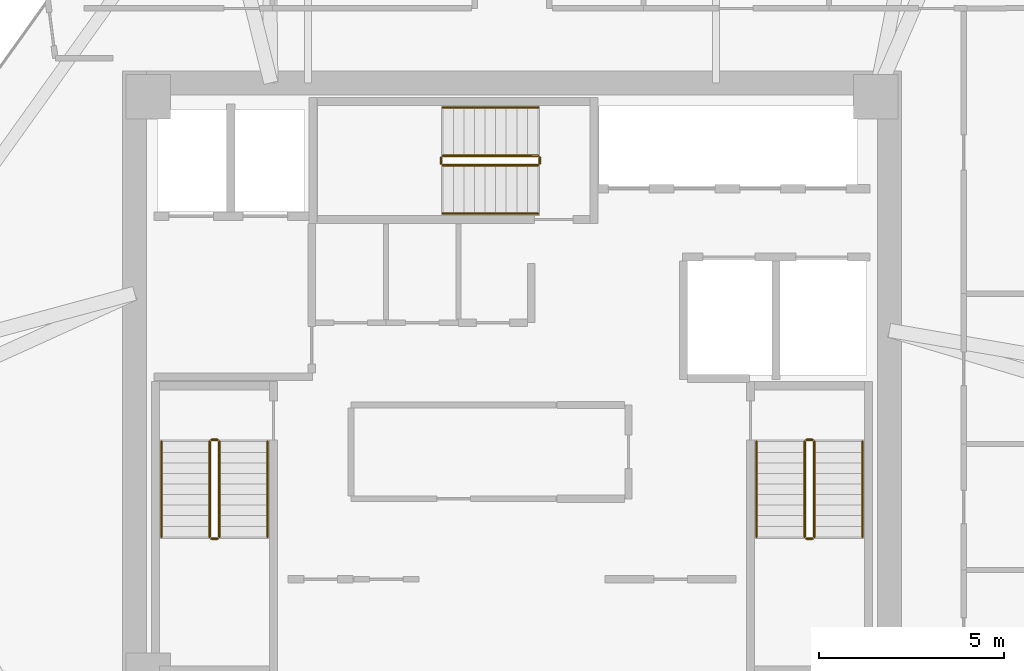
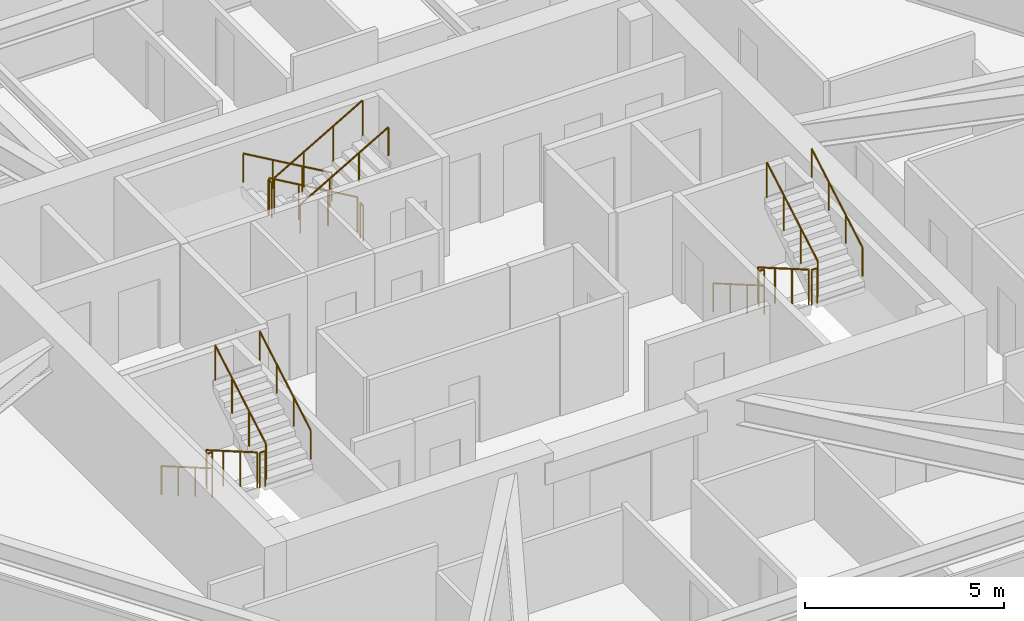
# One storey, part 11 of 11: 18 railings.
"""IFC4 building model written with IfcOpenShell, lengths in metres."""

import ifcopenshell
import ifcopenshell.guid

model = None  # the IFC model being written
_history = None  # IfcOwnerHistory: only IFC2X3 demands one
_inside = {}  # id of a spatial element -> (the spatial element, [elements in it])
_under = {}  # id of a project, library or spatial element -> (it, [spatial elements below it])
_declared = {}  # id of a project -> (the project, [libraries it declares])
_typed = {}  # id of a type object -> (the type object, [elements of that type])
_made_of = {}  # id of a material, layer set ... -> (it, [elements and type objects made of it])


def new_model(schema):
    """Start an empty IFC model of exactly this schema.

    Asked for "IFC4X3", IfcOpenShell would pick the latest addendum, in which some entities
    have other attributes; the version numbers below select the first issue.
    IFC2X3 requires an IfcOwnerHistory on every rooted entity: one is made here for all.
    """
    global model, _history
    if schema == "IFC4X3":
        model = ifcopenshell.file(schema_version=(4, 3, 0, 0))
    else:
        model = ifcopenshell.file(schema=schema)
    _inside.clear()
    _under.clear()
    _declared.clear()
    _typed.clear()
    _made_of.clear()
    _history = None
    if model.schema == "IFC2X3":
        org = make("IfcOrganization", Name="unknown")
        user = make(
            "IfcPersonAndOrganization",
            ThePerson=make("IfcPerson", FamilyName="unknown"),
            TheOrganization=org,
        )
        app = make(
            "IfcApplication",
            ApplicationDeveloper=org,
            Version="unknown",
            ApplicationFullName="unknown",
            ApplicationIdentifier="unknown",
        )
        _history = make(
            "IfcOwnerHistory",
            OwningUser=user,
            OwningApplication=app,
            ChangeAction="ADDED",
            CreationDate=0,
        )
    return model


def make(cls, **values):
    """One entity of the class cls with the attributes given. An attribute that is None is left unset."""
    return model.create_entity(
        cls, **{name: value for name, value in values.items() if value is not None}
    )


def rooted(cls, **values):
    """An entity with a GlobalId (a new one), such as an element, a storey or a relation."""
    return make(cls, GlobalId=ifcopenshell.guid.new(), OwnerHistory=_history, **values)


def si_unit(unit_type, name, prefix=None):
    """IfcSIUnit, for example si_unit("LENGTHUNIT", "METRE", prefix="MILLI")."""
    return make("IfcSIUnit", UnitType=unit_type, Prefix=prefix, Name=name)


def assignment(units):
    """IfcUnitAssignment: the units of a project."""
    return None if units is None else make("IfcUnitAssignment", Units=units)


def point(xyz):
    """IfcCartesianPoint."""
    return None if xyz is None else make("IfcCartesianPoint", Coordinates=xyz)


def direction(xyz):
    """IfcDirection."""
    return None if xyz is None else make("IfcDirection", DirectionRatios=xyz)


def frame(location, z_axis=None, x_axis=None):
    """IfcAxis2Placement3D, a coordinate frame: its origin and axes. An axis left out is left unset."""
    return make(
        "IfcAxis2Placement3D",
        Location=point(location),
        Axis=direction(z_axis),
        RefDirection=direction(x_axis),
    )


def frame_2d(location, x_axis=None):
    """IfcAxis2Placement2D, a coordinate frame in the plane: its origin and x axis."""
    return make(
        "IfcAxis2Placement2D", Location=point(location), RefDirection=direction(x_axis)
    )


def origin():
    """The frame at (0, 0, 0) with its axes left unset."""
    return frame((0.0, 0.0, 0.0))


def origin_2d():
    """The frame at (0, 0) in the plane with its x axis left unset."""
    return frame_2d((0.0, 0.0))


def place(relative_to, where):
    """IfcLocalPlacement: puts the frame where relative to a parent placement (None: the world)."""
    return make(
        "IfcLocalPlacement", PlacementRelTo=relative_to, RelativePlacement=where
    )


def context(
    kind, dimensions, precision=None, world=None, true_north=None, identifier=None
):
    """IfcGeometricRepresentationContext, for example the 3D "Model" context."""
    return make(
        "IfcGeometricRepresentationContext",
        ContextIdentifier=identifier,
        ContextType=kind,
        CoordinateSpaceDimension=dimensions,
        Precision=precision,
        WorldCoordinateSystem=world,
        TrueNorth=true_north,
    )


def subcontext(parent, identifier, kind, view, scale=None):
    """IfcGeometricRepresentationSubContext, for example "Body" below "Model"."""
    return make(
        "IfcGeometricRepresentationSubContext",
        ContextIdentifier=identifier,
        ContextType=kind,
        ParentContext=parent,
        TargetScale=scale,
        TargetView=view,
    )


def project(units=None, contexts=None):
    """IfcProject with its units and contexts."""
    return rooted(
        "IfcProject",
        Name="project",
        RepresentationContexts=contexts,
        UnitsInContext=assignment(units),
    )


def spatial(cls, under=None, at=None, **own):
    """A site, building, storey or space (cls), placed at a placement, below another one or the project."""
    s = rooted(cls, ObjectPlacement=at, **own)
    if under is not None:
        _under.setdefault(under.id(), (under, []))[1].append(s)
    return s


def profile(cls, at=None, kind="AREA", **sizes):
    """A parametric profile (cls). Its sizes go by their IFC names, for example OverallWidth=200.0."""
    return make(cls, ProfileType=kind, Position=at, **sizes)


def circle(**sizes):
    """IfcCircleProfileDef."""
    return profile("IfcCircleProfileDef", **sizes)


def extrude(swept, where, along, depth):
    """IfcExtrudedAreaSolid: the profile swept, set in the frame where, extruded along a direction by depth."""
    return make(
        "IfcExtrudedAreaSolid",
        SweptArea=swept,
        Position=where,
        ExtrudedDirection=direction(along),
        Depth=depth,
    )


def shape(context_of_items, identifier, shape_type, items):
    """IfcShapeRepresentation: the items that make up one representation, for example the "Body"."""
    return make(
        "IfcShapeRepresentation",
        ContextOfItems=context_of_items,
        RepresentationIdentifier=identifier,
        RepresentationType=shape_type,
        Items=items,
    )


def material(Name=None, Category=None):
    """IfcMaterial."""
    return make("IfcMaterial", Name=Name, Category=Category)


def made_of(thing, what):
    """Note that an element or type object is made of a material, layer set ...; save() writes the relation."""
    if what is not None:
        _made_of.setdefault(what.id(), (what, []))[1].append(thing)
    return thing


def type_object(cls, material=None, **own):
    """A type object (cls), such as IfcWallType, which elements share."""
    return made_of(rooted(cls, **own), material)


def element(
    cls,
    number,
    at=None,
    inside=None,
    cuts=None,
    type_object=None,
    material=None,
    context=None,
    identifier="Body",
    shape_type=None,
    held_by="IfcProductDefinitionShape",
    body=None,
    shapes=None,
    **own,
):
    """One element of the class cls, such as IfcWall. Its Tag is "e" and its number.

    at: its placement. inside: the storey or other place that contains it. cuts: it is an
    opening in that element (IfcRelVoidsElement). A single representation is given by context,
    identifier, shape_type and body (its items); several are given by shapes. held_by: the class
    of the entity that holds the representations. save() writes the other relations.
    """
    e = rooted(cls, Tag="e%d" % number, ObjectPlacement=at, **own)
    if body is not None:
        shapes = [shape(context, identifier, shape_type, body)]
    if shapes is not None:
        e.Representation = make(held_by, Representations=shapes)
    if inside is not None:
        _inside.setdefault(inside.id(), (inside, []))[1].append(e)
    if cuts is not None:
        rooted(
            "IfcRelVoidsElement", RelatingBuildingElement=cuts, RelatedOpeningElement=e
        )
    if type_object is not None:
        _typed.setdefault(type_object.id(), (type_object, []))[1].append(e)
    return made_of(e, material)


def aggregate(whole, parts):
    """IfcRelAggregates: a whole, such as a stair, and the parts it consists of."""
    return rooted("IfcRelAggregates", RelatingObject=whole, RelatedObjects=parts)


def save(model, path):
    """Write the relations noted so far, then the file.

    IfcRelAggregates (storeys below a building ...), IfcRelContainedInSpatialStructure (elements
    in a storey), IfcRelDefinesByType, IfcRelAssociatesMaterial and IfcRelDeclares: one each for
    every whole, place, type object, material and project.
    """
    for whole, parts in _under.values():
        aggregate(whole, parts)
    for where, things in _inside.values():
        rooted(
            "IfcRelContainedInSpatialStructure",
            RelatedElements=things,
            RelatingStructure=where,
        )
    for kind, things in _typed.values():
        rooted("IfcRelDefinesByType", RelatedObjects=things, RelatingType=kind)
    for what, things in _made_of.values():
        rooted("IfcRelAssociatesMaterial", RelatedObjects=things, RelatingMaterial=what)
    for by, libraries in _declared.values():
        rooted("IfcRelDeclares", RelatingContext=by, RelatedDefinitions=libraries)
    model.write(path)


model = new_model("IFC4")

# Units and contexts
model_context = context("Model", 3, precision=1e-05, world=origin(), true_north=direction((0.0, 1.0)))
body_context = subcontext(model_context, "Body", "Model", "MODEL_VIEW")
ifc_project = project(units=[si_unit("LENGTHUNIT", "METRE"), si_unit("AREAUNIT", "SQUARE_METRE"), si_unit("VOLUMEUNIT", "CUBIC_METRE"), si_unit("PLANEANGLEUNIT", "RADIAN"), si_unit("MASSUNIT", "GRAM", prefix="KILO")], contexts=[model_context])

# Site, building, storey
site_placement = place(None, origin())
site = spatial("IfcSite", under=ifc_project, at=site_placement, CompositionType="ELEMENT")
building_placement = place(site_placement, origin())
building = spatial("IfcBuilding", under=site, at=building_placement, Name="Durnholm Broadcast Tower", CompositionType="ELEMENT")
storey_placement = place(building_placement, frame((0.0, 0.0, 177.10009765625)))
storey = spatial("IfcBuildingStorey", under=building, at=storey_placement, Name="L48", CompositionType="ELEMENT", Elevation=177.10009765625)

# Railings
ifc_material_1 = material(Name="Painted Tubular Steel Stair Guardrail", Category="steel")
railing_type_1 = type_object("IfcRailingType", Name="RAIL-ST-GRD", PredefinedType="GUARDRAIL", material=ifc_material_1)
railing_1_placement = place(storey_placement, frame((-8.14990234375, -1.5, 0.164794921875)))
element("IfcRailing", 1, at=railing_1_placement, inside=storey, type_object=railing_type_1, Name="L48 ST-1 stair guard 1", PredefinedType="GUARDRAIL", context=body_context, shape_type="SweptSolid", body=[
    extrude(circle(Radius=0.02392578125, at=origin_2d()), frame((0.0, 0.0, 1.076171875), z_axis=(0.0, -0.865405606168, 0.501071987656), x_axis=(1.0, 0.0, 0.0)), (0.0, 0.0, 1.0), 2.9638671875),
    extrude(circle(Radius=0.02099609375, at=origin_2d()), origin(), (0.0, 0.0, 1.0), 1.052001953125),
    extrude(circle(Radius=0.02099609375, at=origin_2d()), frame((0.0, -0.85498046875, 0.4951171875)), (0.0, 0.0, 1.0), 1.052001953125),
    extrude(circle(Radius=0.02099609375, at=origin_2d()), frame((0.0, -1.7099609375, 0.989990234375)), (0.0, 0.0, 1.0), 1.052001953125),
    extrude(circle(Radius=0.02099609375, at=origin_2d()), frame((0.0, -2.56494140625, 1.485107421875)), (0.0, 0.0, 1.0), 1.052001953125),
])
railing_2_placement = place(storey_placement, frame((-8.10009765625, -4.114990234375, 1.64990234375)))
element("IfcRailing", 2, at=railing_2_placement, inside=storey, type_object=railing_type_1, Name="L48 ST-1 stair guard 2", PredefinedType="GUARDRAIL", context=body_context, shape_type="SweptSolid", body=[
    extrude(circle(Radius=0.02392578125, at=origin_2d()), frame((0.0, 0.0, 1.076171875), z_axis=(1.0, 0.0, 0.0), x_axis=(0.0, 1.0, 0.0)), (0.0, 0.0, 1.0), 0.16015625),
    extrude(circle(Radius=0.02099609375, at=origin_2d()), origin(), (0.0, 0.0, 1.0), 1.052001953125),
    extrude(circle(Radius=0.02099609375, at=origin_2d()), frame((0.16015625, 0.0, 0.0)), (0.0, 0.0, 1.0), 1.052001953125),
])
railing_3_placement = place(storey_placement, frame((-7.889892578125, -4.06494140625, 1.81494140625)))
element("IfcRailing", 3, at=railing_3_placement, inside=storey, type_object=railing_type_1, Name="L48 ST-1 stair guard 3", PredefinedType="GUARDRAIL", context=body_context, shape_type="SweptSolid", body=[
    extrude(circle(Radius=0.02392578125, at=origin_2d()), frame((0.0, 0.0, 1.076171875), z_axis=(0.0, 0.865441324677, 0.50101029285), x_axis=(-1.0, 0.0, 0.0)), (0.0, 0.0, 1.0), 2.963623046875),
    extrude(circle(Radius=0.02099609375, at=origin_2d()), origin(), (0.0, 0.0, 1.0), 1.052001953125),
    extrude(circle(Radius=0.02099609375, at=origin_2d()), frame((0.0, 0.85498046875, 0.494873046875)), (0.0, 0.0, 1.0), 1.052001953125),
    extrude(circle(Radius=0.02099609375, at=origin_2d()), frame((0.0, 1.7099609375, 0.989990234375)), (0.0, 0.0, 1.0), 1.052001953125),
    extrude(circle(Radius=0.02099609375, at=origin_2d()), frame((0.0, 2.56494140625, 1.48486328125)), (0.0, 0.0, 1.0), 1.052001953125),
])
railing_4_placement = place(storey_placement, frame((-8.10009765625, -1.449951171875, 0.0)))
element("IfcRailing", 4, at=railing_4_placement, inside=storey, type_object=railing_type_1, Name="L48 ST-1 stair guard 4", PredefinedType="GUARDRAIL", context=body_context, shape_type="SweptSolid", body=[
    extrude(circle(Radius=0.02392578125, at=origin_2d()), frame((0.0, 0.0, 1.076171875), z_axis=(1.0, 0.0, 0.0), x_axis=(0.0, 1.0, 0.0)), (0.0, 0.0, 1.0), 0.16015625),
    extrude(circle(Radius=0.02099609375, at=origin_2d()), origin(), (0.0, 0.0, 1.0), 1.052001953125),
    extrude(circle(Radius=0.02099609375, at=origin_2d()), frame((0.16015625, 0.0, 0.0)), (0.0, 0.0, 1.0), 1.052001953125),
])
railing_5_placement = place(storey_placement, frame((7.889892578125, -1.5, 0.164794921875)))
element("IfcRailing", 5, at=railing_5_placement, inside=storey, type_object=railing_type_1, Name="L48 ST-2 stair guard 1", PredefinedType="GUARDRAIL", context=body_context, shape_type="SweptSolid", body=[
    extrude(circle(Radius=0.02392578125, at=origin_2d()), frame((0.0, 0.0, 1.076171875), z_axis=(0.0, -0.865405606168, 0.501071987656), x_axis=(1.0, 0.0, 0.0)), (0.0, 0.0, 1.0), 2.9638671875),
    extrude(circle(Radius=0.02099609375, at=origin_2d()), origin(), (0.0, 0.0, 1.0), 1.052001953125),
    extrude(circle(Radius=0.02099609375, at=origin_2d()), frame((0.0, -0.85498046875, 0.4951171875)), (0.0, 0.0, 1.0), 1.052001953125),
    extrude(circle(Radius=0.02099609375, at=origin_2d()), frame((0.0, -1.7099609375, 0.989990234375)), (0.0, 0.0, 1.0), 1.052001953125),
    extrude(circle(Radius=0.02099609375, at=origin_2d()), frame((0.0, -2.56494140625, 1.485107421875)), (0.0, 0.0, 1.0), 1.052001953125),
])
railing_6_placement = place(storey_placement, frame((7.93994140625, -4.114990234375, 1.64990234375)))
element("IfcRailing", 6, at=railing_6_placement, inside=storey, type_object=railing_type_1, Name="L48 ST-2 stair guard 2", PredefinedType="GUARDRAIL", context=body_context, shape_type="SweptSolid", body=[
    extrude(circle(Radius=0.02392578125, at=origin_2d()), frame((0.0, 0.0, 1.076171875), z_axis=(1.0, 0.0, 0.0), x_axis=(0.0, 1.0, 0.0)), (0.0, 0.0, 1.0), 0.16015625),
    extrude(circle(Radius=0.02099609375, at=origin_2d()), origin(), (0.0, 0.0, 1.0), 1.052001953125),
    extrude(circle(Radius=0.02099609375, at=origin_2d()), frame((0.16015625, 0.0, 0.0)), (0.0, 0.0, 1.0), 1.052001953125),
])
railing_7_placement = place(storey_placement, frame((8.14990234375, -4.06494140625, 1.81494140625)))
element("IfcRailing", 7, at=railing_7_placement, inside=storey, type_object=railing_type_1, Name="L48 ST-2 stair guard 3", PredefinedType="GUARDRAIL", context=body_context, shape_type="SweptSolid", body=[
    extrude(circle(Radius=0.02392578125, at=origin_2d()), frame((0.0, 0.0, 1.076171875), z_axis=(0.0, 0.865441324677, 0.50101029285), x_axis=(-1.0, 0.0, 0.0)), (0.0, 0.0, 1.0), 2.963623046875),
    extrude(circle(Radius=0.02099609375, at=origin_2d()), origin(), (0.0, 0.0, 1.0), 1.052001953125),
    extrude(circle(Radius=0.02099609375, at=origin_2d()), frame((0.0, 0.85498046875, 0.494873046875)), (0.0, 0.0, 1.0), 1.052001953125),
    extrude(circle(Radius=0.02099609375, at=origin_2d()), frame((0.0, 1.7099609375, 0.989990234375)), (0.0, 0.0, 1.0), 1.052001953125),
    extrude(circle(Radius=0.02099609375, at=origin_2d()), frame((0.0, 2.56494140625, 1.48486328125)), (0.0, 0.0, 1.0), 1.052001953125),
])
railing_8_placement = place(storey_placement, frame((7.93994140625, -1.449951171875, 0.0)))
element("IfcRailing", 8, at=railing_8_placement, inside=storey, type_object=railing_type_1, Name="L48 ST-2 stair guard 4", PredefinedType="GUARDRAIL", context=body_context, shape_type="SweptSolid", body=[
    extrude(circle(Radius=0.02392578125, at=origin_2d()), frame((0.0, 0.0, 1.076171875), z_axis=(1.0, 0.0, 0.0), x_axis=(0.0, 1.0, 0.0)), (0.0, 0.0, 1.0), 0.16015625),
    extrude(circle(Radius=0.02099609375, at=origin_2d()), origin(), (0.0, 0.0, 1.0), 1.052001953125),
    extrude(circle(Radius=0.02099609375, at=origin_2d()), frame((0.16015625, 0.0, 0.0)), (0.0, 0.0, 1.0), 1.052001953125),
])
railing_9_placement = place(storey_placement, frame((0.699951171875, 6.2099609375, 0.164794921875)))
element("IfcRailing", 9, at=railing_9_placement, inside=storey, type_object=railing_type_1, Name="L48 ST-3 stair guard 1", PredefinedType="GUARDRAIL", context=body_context, shape_type="SweptSolid", body=[
    extrude(circle(Radius=0.02392578125, at=origin_2d()), frame((0.0, 0.0, 1.076171875), z_axis=(-0.865405606168, 0.0, 0.501071987656), x_axis=(0.0, -1.0, 0.0)), (0.0, 0.0, 1.0), 2.9638671875),
    extrude(circle(Radius=0.02099609375, at=origin_2d()), origin(), (0.0, 0.0, 1.0), 1.052001953125),
    extrude(circle(Radius=0.02099609375, at=origin_2d()), frame((-0.85498046875, 0.0, 0.4951171875)), (0.0, 0.0, 1.0), 1.052001953125),
    extrude(circle(Radius=0.02099609375, at=origin_2d()), frame((-1.7099609375, 0.0, 0.989990234375)), (0.0, 0.0, 1.0), 1.052001953125),
    extrude(circle(Radius=0.02099609375, at=origin_2d()), frame((-2.56494140625, 0.0, 1.485107421875)), (0.0, 0.0, 1.0), 1.052001953125),
])
railing_10_placement = place(storey_placement, frame((-1.9150390625, 6.159912109375, 1.64990234375)))
element("IfcRailing", 10, at=railing_10_placement, inside=storey, type_object=railing_type_1, Name="L48 ST-3 stair guard 2", PredefinedType="GUARDRAIL", context=body_context, shape_type="SweptSolid", body=[
    extrude(circle(Radius=0.02392578125, at=origin_2d()), frame((0.0, 0.0, 1.076171875), z_axis=(0.0, -1.0, 0.0), x_axis=(1.0, 0.0, 0.0)), (0.0, 0.0, 1.0), 0.159912109375),
    extrude(circle(Radius=0.02099609375, at=origin_2d()), origin(), (0.0, 0.0, 1.0), 1.052001953125),
    extrude(circle(Radius=0.02099609375, at=origin_2d()), frame((0.0, -0.159912109375, 0.0)), (0.0, 0.0, 1.0), 1.052001953125),
])
railing_11_placement = place(storey_placement, frame((-1.864990234375, 5.949951171875, 1.81494140625)))
element("IfcRailing", 11, at=railing_11_placement, inside=storey, type_object=railing_type_1, Name="L48 ST-3 stair guard 3", PredefinedType="GUARDRAIL", context=body_context, shape_type="SweptSolid", body=[
    extrude(circle(Radius=0.02392578125, at=origin_2d()), frame((0.0, 0.0, 1.076171875), z_axis=(0.865441324677, 0.0, 0.50101029285), x_axis=(0.0, 1.0, 0.0)), (0.0, 0.0, 1.0), 2.963623046875),
    extrude(circle(Radius=0.02099609375, at=origin_2d()), origin(), (0.0, 0.0, 1.0), 1.052001953125),
    extrude(circle(Radius=0.02099609375, at=origin_2d()), frame((0.85498046875, 0.0, 0.494873046875)), (0.0, 0.0, 1.0), 1.052001953125),
    extrude(circle(Radius=0.02099609375, at=origin_2d()), frame((1.7099609375, 0.0, 0.989990234375)), (0.0, 0.0, 1.0), 1.052001953125),
    extrude(circle(Radius=0.02099609375, at=origin_2d()), frame((2.56494140625, 0.0, 1.48486328125)), (0.0, 0.0, 1.0), 1.052001953125),
])
railing_12_placement = place(storey_placement, frame((0.75, 6.159912109375, 0.0)))
element("IfcRailing", 12, at=railing_12_placement, inside=storey, type_object=railing_type_1, Name="L48 ST-3 stair guard 4", PredefinedType="GUARDRAIL", context=body_context, shape_type="SweptSolid", body=[
    extrude(circle(Radius=0.02392578125, at=origin_2d()), frame((0.0, 0.0, 1.076171875), z_axis=(0.0, -1.0, 0.0), x_axis=(1.0, 0.0, 0.0)), (0.0, 0.0, 1.0), 0.159912109375),
    extrude(circle(Radius=0.02099609375, at=origin_2d()), origin(), (0.0, 0.0, 1.0), 1.052001953125),
    extrude(circle(Radius=0.02099609375, at=origin_2d()), frame((0.0, -0.159912109375, 0.0)), (0.0, 0.0, 1.0), 1.052001953125),
])
ifc_material_2 = material(Name="Brushed Stainless Steel Handrail", Category="steel")
railing_type_2 = type_object("IfcRailingType", Name="RAIL-ST-HND", PredefinedType="HANDRAIL", material=ifc_material_2)
railing_13_placement = place(storey_placement, frame((-9.449951171875, -1.5, 0.329833984375)))
element("IfcRailing", 13, at=railing_13_placement, inside=storey, type_object=railing_type_2, Name="L48 ST-1 stair handrail 1", PredefinedType="HANDRAIL", context=body_context, shape_type="SweptSolid", body=[
    extrude(circle(Radius=0.02392578125, at=origin_2d()), frame((0.0, 0.0, 0.8759765625), z_axis=(0.0, -0.865405606168, 0.501071987656), x_axis=(1.0, 0.0, 0.0)), (0.0, 0.0, 1.0), 2.9638671875),
    extrude(circle(Radius=0.02099609375, at=origin_2d()), origin(), (0.0, 0.0, 1.0), 0.851806640625),
    extrude(circle(Radius=0.02099609375, at=origin_2d()), frame((0.0, -0.85498046875, 0.4951171875)), (0.0, 0.0, 1.0), 0.851806640625),
    extrude(circle(Radius=0.02099609375, at=origin_2d()), frame((0.0, -1.7099609375, 0.989990234375)), (0.0, 0.0, 1.0), 0.851806640625),
    extrude(circle(Radius=0.02099609375, at=origin_2d()), frame((0.0, -2.56494140625, 1.485107421875)), (0.0, 0.0, 1.0), 0.851806640625),
])
railing_14_placement = place(storey_placement, frame((-6.590087890625, -4.06494140625, 1.97998046875)))
element("IfcRailing", 14, at=railing_14_placement, inside=storey, type_object=railing_type_2, Name="L48 ST-1 stair handrail 2", PredefinedType="HANDRAIL", context=body_context, shape_type="SweptSolid", body=[
    extrude(circle(Radius=0.02392578125, at=origin_2d()), frame((0.0, 0.0, 0.8759765625), z_axis=(0.0, 0.865441324677, 0.50101029285), x_axis=(-1.0, 0.0, 0.0)), (0.0, 0.0, 1.0), 2.963623046875),
    extrude(circle(Radius=0.02099609375, at=origin_2d()), origin(), (0.0, 0.0, 1.0), 0.851806640625),
    extrude(circle(Radius=0.02099609375, at=origin_2d()), frame((0.0, 0.85498046875, 0.494873046875)), (0.0, 0.0, 1.0), 0.851806640625),
    extrude(circle(Radius=0.02099609375, at=origin_2d()), frame((0.0, 1.7099609375, 0.989990234375)), (0.0, 0.0, 1.0), 0.851806640625),
    extrude(circle(Radius=0.02099609375, at=origin_2d()), frame((0.0, 2.56494140625, 1.48486328125)), (0.0, 0.0, 1.0), 0.851806640625),
])
railing_15_placement = place(storey_placement, frame((6.590087890625, -1.5, 0.329833984375)))
element("IfcRailing", 15, at=railing_15_placement, inside=storey, type_object=railing_type_2, Name="L48 ST-2 stair handrail 1", PredefinedType="HANDRAIL", context=body_context, shape_type="SweptSolid", body=[
    extrude(circle(Radius=0.02392578125, at=origin_2d()), frame((0.0, 0.0, 0.8759765625), z_axis=(0.0, -0.865405606168, 0.501071987656), x_axis=(1.0, 0.0, 0.0)), (0.0, 0.0, 1.0), 2.9638671875),
    extrude(circle(Radius=0.02099609375, at=origin_2d()), origin(), (0.0, 0.0, 1.0), 0.851806640625),
    extrude(circle(Radius=0.02099609375, at=origin_2d()), frame((0.0, -0.85498046875, 0.4951171875)), (0.0, 0.0, 1.0), 0.851806640625),
    extrude(circle(Radius=0.02099609375, at=origin_2d()), frame((0.0, -1.7099609375, 0.989990234375)), (0.0, 0.0, 1.0), 0.851806640625),
    extrude(circle(Radius=0.02099609375, at=origin_2d()), frame((0.0, -2.56494140625, 1.485107421875)), (0.0, 0.0, 1.0), 0.851806640625),
])
railing_16_placement = place(storey_placement, frame((9.449951171875, -4.06494140625, 1.97998046875)))
element("IfcRailing", 16, at=railing_16_placement, inside=storey, type_object=railing_type_2, Name="L48 ST-2 stair handrail 2", PredefinedType="HANDRAIL", context=body_context, shape_type="SweptSolid", body=[
    extrude(circle(Radius=0.02392578125, at=origin_2d()), frame((0.0, 0.0, 0.8759765625), z_axis=(0.0, 0.865441324677, 0.50101029285), x_axis=(-1.0, 0.0, 0.0)), (0.0, 0.0, 1.0), 2.963623046875),
    extrude(circle(Radius=0.02099609375, at=origin_2d()), origin(), (0.0, 0.0, 1.0), 0.851806640625),
    extrude(circle(Radius=0.02099609375, at=origin_2d()), frame((0.0, 0.85498046875, 0.494873046875)), (0.0, 0.0, 1.0), 0.851806640625),
    extrude(circle(Radius=0.02099609375, at=origin_2d()), frame((0.0, 1.7099609375, 0.989990234375)), (0.0, 0.0, 1.0), 0.851806640625),
    extrude(circle(Radius=0.02099609375, at=origin_2d()), frame((0.0, 2.56494140625, 1.48486328125)), (0.0, 0.0, 1.0), 0.851806640625),
])
railing_17_placement = place(storey_placement, frame((0.699951171875, 7.510009765625, 0.329833984375)))
element("IfcRailing", 17, at=railing_17_placement, inside=storey, type_object=railing_type_2, Name="L48 ST-3 stair handrail 1", PredefinedType="HANDRAIL", context=body_context, shape_type="SweptSolid", body=[
    extrude(circle(Radius=0.02392578125, at=origin_2d()), frame((0.0, 0.0, 0.8759765625), z_axis=(-0.865405606168, 0.0, 0.501071987656), x_axis=(0.0, -1.0, 0.0)), (0.0, 0.0, 1.0), 2.9638671875),
    extrude(circle(Radius=0.02099609375, at=origin_2d()), origin(), (0.0, 0.0, 1.0), 0.851806640625),
    extrude(circle(Radius=0.02099609375, at=origin_2d()), frame((-0.85498046875, 0.0, 0.4951171875)), (0.0, 0.0, 1.0), 0.851806640625),
    extrude(circle(Radius=0.02099609375, at=origin_2d()), frame((-1.7099609375, 0.0, 0.989990234375)), (0.0, 0.0, 1.0), 0.851806640625),
    extrude(circle(Radius=0.02099609375, at=origin_2d()), frame((-2.56494140625, 0.0, 1.485107421875)), (0.0, 0.0, 1.0), 0.851806640625),
])
railing_18_placement = place(storey_placement, frame((-1.864990234375, 4.64990234375, 1.97998046875)))
element("IfcRailing", 18, at=railing_18_placement, inside=storey, type_object=railing_type_2, Name="L48 ST-3 stair handrail 2", PredefinedType="HANDRAIL", context=body_context, shape_type="SweptSolid", body=[
    extrude(circle(Radius=0.02392578125, at=origin_2d()), frame((0.0, 0.0, 0.8759765625), z_axis=(0.865441324677, 0.0, 0.50101029285), x_axis=(0.0, 1.0, 0.0)), (0.0, 0.0, 1.0), 2.963623046875),
    extrude(circle(Radius=0.02099609375, at=origin_2d()), origin(), (0.0, 0.0, 1.0), 0.851806640625),
    extrude(circle(Radius=0.02099609375, at=origin_2d()), frame((0.85498046875, 0.0, 0.494873046875)), (0.0, 0.0, 1.0), 0.851806640625),
    extrude(circle(Radius=0.02099609375, at=origin_2d()), frame((1.7099609375, 0.0, 0.989990234375)), (0.0, 0.0, 1.0), 0.851806640625),
    extrude(circle(Radius=0.02099609375, at=origin_2d()), frame((2.56494140625, 0.0, 1.48486328125)), (0.0, 0.0, 1.0), 0.851806640625),
])

save(model, "model.ifc")
